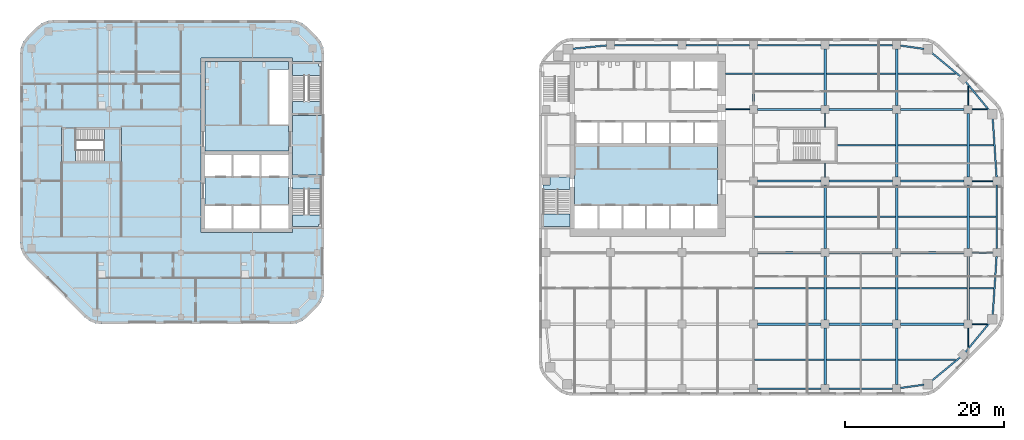
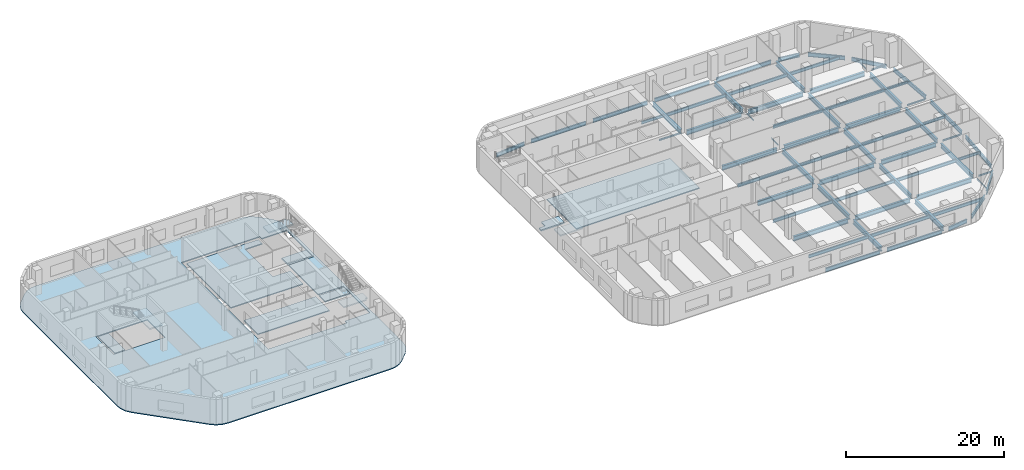
# One storey, part 3 of 16: 68 beams, 12 slabs, 4 elements without a shape of their own.
"""IFC4 building model written with IfcOpenShell, lengths in metres."""

from ifc_helpers import new_model, si_unit, direction, frame, origin, origin_2d, place, context, subcontext, project, spatial, polyline, i_section, outline, extrude, material, layer, layer_set, material_profile, profile_set, type_object, element, aggregate, save


model = new_model("IFC4")

# Units and contexts
model_context = context("Model", 3, precision=1e-05, world=origin(), true_north=direction((0.0, 1.0)))
body_context = subcontext(model_context, "Body", "Model", "MODEL_VIEW")
ifc_project = project(units=[si_unit("LENGTHUNIT", "METRE"), si_unit("AREAUNIT", "SQUARE_METRE"), si_unit("VOLUMEUNIT", "CUBIC_METRE"), si_unit("PLANEANGLEUNIT", "RADIAN"), si_unit("MASSUNIT", "GRAM", prefix="KILO")], contexts=[model_context])

# Site, building, storey
site_placement = place(None, origin())
site = spatial("IfcSite", under=ifc_project, at=site_placement, CompositionType="ELEMENT")
building_placement = place(site_placement, origin())
building = spatial("IfcBuilding", under=site, at=building_placement, Name="Cinnabar Reach Civic Tower", CompositionType="ELEMENT")
storey_placement = place(building_placement, frame((0.0, 0.0, 83.0)))
storey = spatial("IfcBuildingStorey", under=building, at=storey_placement, Name="L19", CompositionType="ELEMENT", Elevation=83.0)

# Beams
ifc_material_1 = material(Name="Steel Q355B", Category="steel")
ifc_material_profile_1 = material_profile(ifc_material_1, i_section(OverallWidth=0.099, OverallDepth=0.198, WebThickness=0.0045, FlangeThickness=0.007, FilletRadius=0.013, at=origin_2d()), Name="HN200x100x5.5x8")
ifc_profile_set_1 = profile_set([ifc_material_profile_1], Name="Steel Q355B")
beam_type_1 = type_object("IfcBeamType", Name="HN200x100x5.5x8 beam R 180", PredefinedType="BEAM", material=ifc_profile_set_1)
for number, where, z_axis, x_axis, name in (
    (1, (36.0, 27.502, -0.249), (0.0, 1.0, 0.0), (-1.0, 0.0, 0.0), "Girder T1 L19 15"),
    (2, (36.0, 33.752, -0.249), (0.0, 1.0, 0.0), (-1.0, 0.0, 0.0), "Girder T1 L19 16"),
):
    element("IfcBeam", number, at=place(storey_placement, frame(where, z_axis=z_axis, x_axis=x_axis)), inside=storey, type_object=beam_type_1, Name=name, PredefinedType="BEAM", context=body_context, shape_type="SweptSolid", body=[
        extrude(i_section(OverallWidth=0.099, OverallDepth=0.198, WebThickness=0.0045, FlangeThickness=0.007, FilletRadius=0.013, at=origin_2d()), origin(), (0.0, 0.0, 1.0), 1.746),
    ])
for number, where, z_axis, x_axis, name in (
    (3, (54.0, 6.0682, -0.249), (0.0, 1.0, 0.0), (-1.0, 0.0, 0.0), "Girder T1 L19 23"),
    (4, (54.0, 36.502, -0.249), (0.0, 1.0, 0.0), (-1.0, 0.0, 0.0), "Girder T1 L19 27"),
):
    element("IfcBeam", number, at=place(storey_placement, frame(where, z_axis=z_axis, x_axis=x_axis)), inside=storey, type_object=beam_type_1, Name=name, PredefinedType="BEAM", context=body_context, shape_type="SweptSolid", body=[
        extrude(i_section(OverallWidth=0.099, OverallDepth=0.198, WebThickness=0.0045, FlangeThickness=0.007, FilletRadius=0.013, at=origin_2d()), origin(), (0.0, 0.0, 1.0), 2.4298),
    ])
ifc_material_profile_2 = material_profile(ifc_material_1, i_section(OverallWidth=0.124, OverallDepth=0.248, WebThickness=0.005, FlangeThickness=0.008, FilletRadius=0.013, at=origin_2d()), Name="HN250x125x6x9")
ifc_profile_set_2 = profile_set([ifc_material_profile_2], Name="Steel Q355B")
beam_type_2 = type_object("IfcBeamType", Name="HN250x125x6x9 beam R 180", PredefinedType="BEAM", material=ifc_profile_set_2)
beam_1_placement = place(storey_placement, frame((54.502, 9.0, -0.274), z_axis=(1.0, 0.0, 0.0), x_axis=(0.0, 1.0, 0.0)))
element("IfcBeam", 5, at=beam_1_placement, inside=storey, type_object=beam_type_2, Name="Girder T1 L19 7", PredefinedType="BEAM", context=body_context, shape_type="SweptSolid", body=[
    extrude(i_section(OverallWidth=0.124, OverallDepth=0.248, WebThickness=0.005, FlangeThickness=0.008, FilletRadius=0.013, at=origin_2d()), origin(), (0.0, 0.0, 1.0), 1.9162),
])
for number, where, z_axis, x_axis, name in (
    (6, (54.502, 18.0, -0.274), (1.0, 0.0, 0.0), (0.0, 1.0, 0.0), "Girder T1 L19 14"),
    (7, (54.502, 27.0, -0.274), (1.0, 0.0, 0.0), (0.0, 1.0, 0.0), "Girder T1 L19 19"),
):
    element("IfcBeam", number, at=place(storey_placement, frame(where, z_axis=z_axis, x_axis=x_axis)), inside=storey, type_object=beam_type_2, Name=name, PredefinedType="BEAM", context=body_context, shape_type="SweptSolid", body=[
        extrude(i_section(OverallWidth=0.124, OverallDepth=0.248, WebThickness=0.005, FlangeThickness=0.008, FilletRadius=0.013, at=origin_2d()), origin(), (0.0, 0.0, 1.0), 2.596),
    ])
beam_2_placement = place(storey_placement, frame((23.502, 36.0, -0.274), z_axis=(1.0, 0.0, 0.0), x_axis=(0.0, 1.0, 0.0)))
element("IfcBeam", 8, at=beam_2_placement, inside=storey, type_object=beam_type_2, Name="Girder T1 L19 20", PredefinedType="BEAM", context=body_context, shape_type="SweptSolid", body=[
    extrude(i_section(OverallWidth=0.124, OverallDepth=0.248, WebThickness=0.005, FlangeThickness=0.008, FilletRadius=0.013, at=origin_2d()), origin(), (0.0, 0.0, 1.0), 2.996),
])
beam_3_placement = place(storey_placement, frame((54.502, 36.0, -0.274), z_axis=(1.0, 0.0, 0.0), x_axis=(0.0, 1.0, 0.0)))
element("IfcBeam", 9, at=beam_3_placement, inside=storey, type_object=beam_type_2, Name="Girder T1 L19 24", PredefinedType="BEAM", context=body_context, shape_type="SweptSolid", body=[
    extrude(i_section(OverallWidth=0.124, OverallDepth=0.248, WebThickness=0.005, FlangeThickness=0.008, FilletRadius=0.013, at=origin_2d()), origin(), (0.0, 0.0, 1.0), 1.9162),
])
ifc_material_profile_3 = material_profile(ifc_material_1, i_section(OverallWidth=0.2, OverallDepth=0.4, WebThickness=0.008, FlangeThickness=0.013, FilletRadius=0.016, at=origin_2d()), Name="HN400x200x8x13")
ifc_profile_set_3 = profile_set([ifc_material_profile_3], Name="Steel Q355B")
beam_type_3 = type_object("IfcBeamType", Name="HN400x200x8x13 beam R 180", PredefinedType="BEAM", material=ifc_profile_set_3)
beam_4_placement = place(storey_placement, frame((54.152, 13.5, -0.35), z_axis=(1.0, 0.0, 0.0), x_axis=(0.0, 1.0, 0.0)))
element("IfcBeam", 10, at=beam_4_placement, inside=storey, type_object=beam_type_3, Name="Secondary beam T1 L19 13", PredefinedType="BEAM", context=body_context, shape_type="SweptSolid", body=[
    extrude(i_section(OverallWidth=0.2, OverallDepth=0.4, WebThickness=0.008, FlangeThickness=0.013, FilletRadius=0.016, at=origin_2d()), origin(), (0.0, 0.0, 1.0), 3.0494),
])
beam_5_placement = place(storey_placement, frame((54.152, 22.5, -0.35), z_axis=(1.0, 0.0, 0.0), x_axis=(0.0, 1.0, 0.0)))
element("IfcBeam", 11, at=beam_5_placement, inside=storey, type_object=beam_type_3, Name="Secondary beam T1 L19 18", PredefinedType="BEAM", context=body_context, shape_type="SweptSolid", body=[
    extrude(i_section(OverallWidth=0.2, OverallDepth=0.4, WebThickness=0.008, FlangeThickness=0.013, FilletRadius=0.016, at=origin_2d()), origin(), (0.0, 0.0, 1.0), 3.346),
])
beam_6_placement = place(storey_placement, frame((54.152, 31.5, -0.35), z_axis=(1.0, 0.0, 0.0), x_axis=(0.0, 1.0, 0.0)))
element("IfcBeam", 12, at=beam_6_placement, inside=storey, type_object=beam_type_3, Name="Secondary beam T1 L19 24", PredefinedType="BEAM", context=body_context, shape_type="SweptSolid", body=[
    extrude(i_section(OverallWidth=0.2, OverallDepth=0.4, WebThickness=0.008, FlangeThickness=0.013, FilletRadius=0.016, at=origin_2d()), origin(), (0.0, 0.0, 1.0), 3.0494),
])
beam_7_placement = place(storey_placement, frame((23.502, 40.5, -0.35), z_axis=(1.0, 0.0, 0.0), x_axis=(0.0, 1.0, 0.0)))
element("IfcBeam", 13, at=beam_7_placement, inside=storey, type_object=beam_type_3, Name="Secondary beam T1 L19 25", PredefinedType="BEAM", context=body_context, shape_type="SweptSolid", body=[
    extrude(i_section(OverallWidth=0.2, OverallDepth=0.4, WebThickness=0.008, FlangeThickness=0.013, FilletRadius=0.016, at=origin_2d()), origin(), (0.0, 0.0, 1.0), 3.346),
])
ifc_material_profile_4 = material_profile(ifc_material_1, i_section(OverallWidth=0.2, OverallDepth=0.5, WebThickness=0.01, FlangeThickness=0.016, FilletRadius=0.016, at=origin_2d()), Name="HN500x200x10x16")
ifc_profile_set_4 = profile_set([ifc_material_profile_4], Name="Steel Q355B")
beam_type_4 = type_object("IfcBeamType", Name="HN500x200x10x16 beam R 180", PredefinedType="BEAM", material=ifc_profile_set_4)
for number, where, z_axis, x_axis, name in (
    (14, (27.152, 4.5, -0.4), (1.0, 0.0, 0.0), (0.0, 1.0, 0.0), "Secondary beam T1 L19 4"),
    (15, (36.152, 4.5, -0.4), (1.0, 0.0, 0.0), (0.0, 1.0, 0.0), "Secondary beam T1 L19 5"),
):
    element("IfcBeam", number, at=place(storey_placement, frame(where, z_axis=z_axis, x_axis=x_axis)), inside=storey, type_object=beam_type_4, Name=name, PredefinedType="BEAM", context=body_context, shape_type="SweptSolid", body=[
        extrude(i_section(OverallWidth=0.2, OverallDepth=0.5, WebThickness=0.01, FlangeThickness=0.016, FilletRadius=0.016, at=origin_2d()), origin(), (0.0, 0.0, 1.0), 8.696),
    ])
beam_8_placement = place(storey_placement, frame((45.152, 4.5, -0.4), z_axis=(1.0, 0.0, 0.0), x_axis=(0.0, 1.0, 0.0)))
element("IfcBeam", 16, at=beam_8_placement, inside=storey, type_object=beam_type_4, Name="Secondary beam T1 L19 6", PredefinedType="BEAM", context=body_context, shape_type="SweptSolid", body=[
    extrude(i_section(OverallWidth=0.2, OverallDepth=0.5, WebThickness=0.01, FlangeThickness=0.016, FilletRadius=0.016, at=origin_2d()), origin(), (0.0, 0.0, 1.0), 7.2798),
])
for number, where, z_axis, x_axis, name in (
    (17, (27.152, 13.5, -0.4), (1.0, 0.0, 0.0), (0.0, 1.0, 0.0), "Secondary beam T1 L19 10"),
    (18, (36.152, 13.5, -0.4), (1.0, 0.0, 0.0), (0.0, 1.0, 0.0), "Secondary beam T1 L19 11"),
    (19, (45.152, 13.5, -0.4), (1.0, 0.0, 0.0), (0.0, 1.0, 0.0), "Secondary beam T1 L19 12"),
    (20, (27.152, 22.5, -0.4), (1.0, 0.0, 0.0), (0.0, 1.0, 0.0), "Secondary beam T1 L19 15"),
    (21, (36.152, 22.5, -0.4), (1.0, 0.0, 0.0), (0.0, 1.0, 0.0), "Secondary beam T1 L19 16"),
    (22, (45.152, 22.5, -0.4), (1.0, 0.0, 0.0), (0.0, 1.0, 0.0), "Secondary beam T1 L19 17"),
):
    element("IfcBeam", number, at=place(storey_placement, frame(where, z_axis=z_axis, x_axis=x_axis)), inside=storey, type_object=beam_type_4, Name=name, PredefinedType="BEAM", context=body_context, shape_type="SweptSolid", body=[
        extrude(i_section(OverallWidth=0.2, OverallDepth=0.5, WebThickness=0.01, FlangeThickness=0.016, FilletRadius=0.016, at=origin_2d()), origin(), (0.0, 0.0, 1.0), 8.696),
    ])
beam_9_placement = place(storey_placement, frame((37.502, 31.5, -0.4), z_axis=(1.0, 0.0, 0.0), x_axis=(0.0, 1.0, 0.0)))
element("IfcBeam", 23, at=beam_9_placement, inside=storey, type_object=beam_type_4, Name="Secondary beam T1 L19 22", PredefinedType="BEAM", context=body_context, shape_type="SweptSolid", body=[
    extrude(i_section(OverallWidth=0.2, OverallDepth=0.5, WebThickness=0.01, FlangeThickness=0.016, FilletRadius=0.016, at=origin_2d()), origin(), (0.0, 0.0, 1.0), 7.346),
])
for number, where, z_axis, x_axis, name in (
    (24, (45.152, 31.5, -0.4), (1.0, 0.0, 0.0), (0.0, 1.0, 0.0), "Secondary beam T1 L19 23"),
    (25, (27.152, 40.5, -0.4), (1.0, 0.0, 0.0), (0.0, 1.0, 0.0), "Secondary beam T1 L19 26"),
    (26, (36.152, 40.5, -0.4), (1.0, 0.0, 0.0), (0.0, 1.0, 0.0), "Secondary beam T1 L19 27"),
):
    element("IfcBeam", number, at=place(storey_placement, frame(where, z_axis=z_axis, x_axis=x_axis)), inside=storey, type_object=beam_type_4, Name=name, PredefinedType="BEAM", context=body_context, shape_type="SweptSolid", body=[
        extrude(i_section(OverallWidth=0.2, OverallDepth=0.5, WebThickness=0.01, FlangeThickness=0.016, FilletRadius=0.016, at=origin_2d()), origin(), (0.0, 0.0, 1.0), 8.696),
    ])
beam_10_placement = place(storey_placement, frame((45.152, 40.5, -0.4), z_axis=(1.0, 0.0, 0.0), x_axis=(0.0, 1.0, 0.0)))
element("IfcBeam", 27, at=beam_10_placement, inside=storey, type_object=beam_type_4, Name="Secondary beam T1 L19 28", PredefinedType="BEAM", context=body_context, shape_type="SweptSolid", body=[
    extrude(i_section(OverallWidth=0.2, OverallDepth=0.5, WebThickness=0.01, FlangeThickness=0.016, FilletRadius=0.016, at=origin_2d()), origin(), (0.0, 0.0, 1.0), 7.2798),
])
ifc_material_profile_5 = material_profile(ifc_material_1, i_section(OverallWidth=0.2, OverallDepth=0.6, WebThickness=0.011, FlangeThickness=0.017, FilletRadius=0.016, at=origin_2d()), Name="HN600x200x11x17")
ifc_profile_set_5 = profile_set([ifc_material_profile_5], Name="Steel Q355B")
beam_type_5 = type_object("IfcBeamType", Name="HN600x200x11x17 beam R 180", PredefinedType="BEAM", material=ifc_profile_set_5)
for number, where, z_axis, x_axis, name in (
    (28, (27.502, 0.9, -0.45), (1.0, 0.0, 0.0), (0.0, 1.0, 0.0), "Edge beam T1 L19 4"),
    (29, (36.502, 0.9, -0.45), (1.0, 0.0, 0.0), (0.0, 1.0, 0.0), "Edge beam T1 L19 5"),
):
    element("IfcBeam", number, at=place(storey_placement, frame(where, z_axis=z_axis, x_axis=x_axis)), inside=storey, type_object=beam_type_5, Name=name, PredefinedType="BEAM", context=body_context, shape_type="SweptSolid", body=[
        extrude(i_section(OverallWidth=0.2, OverallDepth=0.6, WebThickness=0.011, FlangeThickness=0.017, FilletRadius=0.016, at=origin_2d()), origin(), (0.0, 0.0, 1.0), 7.996),
    ])
beam_11_placement = place(storey_placement, frame((45.502, 0.9712, -0.45), z_axis=(0.990082238922, 0.140489003738, 0.0), x_axis=(-0.140489003738, 0.990082238922, 0.0)))
element("IfcBeam", 30, at=beam_11_placement, inside=storey, type_object=beam_type_5, Name="Edge beam T1 L19 6", PredefinedType="BEAM", context=body_context, shape_type="SweptSolid", body=[
    extrude(i_section(OverallWidth=0.2, OverallDepth=0.6, WebThickness=0.011, FlangeThickness=0.017, FilletRadius=0.016, at=origin_2d()), origin(), (0.0, 0.0, 1.0), 2.9433),
])
for number, where, z_axis, x_axis, name in (
    (31, (49.3801, 1.8507, -0.45), (0.77143827905, 0.6363041581, 0.0), (-0.6363041581, 0.77143827905, 0.0), "Edge beam T1 L19 7"),
    (32, (53.6461, 5.4789, -0.45), (0.6363041581, 0.77143827905, 0.0), (-0.77143827905, 0.6363041581, 0.0), "Edge beam T1 L19 8"),
):
    element("IfcBeam", number, at=place(storey_placement, frame(where, z_axis=z_axis, x_axis=x_axis)), inside=storey, type_object=beam_type_5, Name=name, PredefinedType="BEAM", context=body_context, shape_type="SweptSolid", body=[
        extrude(i_section(OverallWidth=0.2, OverallDepth=0.6, WebThickness=0.011, FlangeThickness=0.017, FilletRadius=0.016, at=origin_2d()), origin(), (0.0, 0.0, 1.0), 4.7198),
    ])
beam_12_placement = place(storey_placement, frame((57.0786, 10.0839, -0.45), z_axis=(0.065718615968, 0.997838195057, 0.0), x_axis=(-0.997838195057, 0.065718615968, 0.0)))
element("IfcBeam", 33, at=beam_12_placement, inside=storey, type_object=beam_type_5, Name="Edge beam T1 L19 9", PredefinedType="BEAM", context=body_context, shape_type="SweptSolid", body=[
    extrude(i_section(OverallWidth=0.2, OverallDepth=0.6, WebThickness=0.011, FlangeThickness=0.017, FilletRadius=0.016, at=origin_2d()), origin(), (0.0, 0.0, 1.0), 7.4302),
])
beam_13_placement = place(storey_placement, frame((57.6, 18.502, -0.45), z_axis=(0.0, 1.0, 0.0), x_axis=(-1.0, 0.0, 0.0)))
element("IfcBeam", 34, at=beam_13_placement, inside=storey, type_object=beam_type_5, Name="Edge beam T1 L19 10", PredefinedType="BEAM", context=body_context, shape_type="SweptSolid", body=[
    extrude(i_section(OverallWidth=0.2, OverallDepth=0.6, WebThickness=0.011, FlangeThickness=0.017, FilletRadius=0.016, at=origin_2d()), origin(), (0.0, 0.0, 1.0), 7.996),
])
beam_14_placement = place(storey_placement, frame((57.5669, 27.502, -0.45), z_axis=(-0.065718615968, 0.997838195057, 0.0), x_axis=(-0.997838195057, -0.065718615968, 0.0)))
element("IfcBeam", 35, at=beam_14_placement, inside=storey, type_object=beam_type_5, Name="Edge beam T1 L19 11", PredefinedType="BEAM", context=body_context, shape_type="SweptSolid", body=[
    extrude(i_section(OverallWidth=0.2, OverallDepth=0.6, WebThickness=0.011, FlangeThickness=0.017, FilletRadius=0.016, at=origin_2d()), origin(), (0.0, 0.0, 1.0), 7.4302),
])
for number, where, z_axis, x_axis, name in (
    (36, (56.6493, 35.8801, -0.45), (-0.6363041581, 0.77143827905, 0.0), (-0.77143827905, -0.6363041581, 0.0), "Edge beam T1 L19 12"),
    (37, (53.0211, 40.1461, -0.45), (-0.77143827905, 0.6363041581, 0.0), (-0.6363041581, -0.77143827905, 0.0), "Edge beam T1 L19 13"),
):
    element("IfcBeam", number, at=place(storey_placement, frame(where, z_axis=z_axis, x_axis=x_axis)), inside=storey, type_object=beam_type_5, Name=name, PredefinedType="BEAM", context=body_context, shape_type="SweptSolid", body=[
        extrude(i_section(OverallWidth=0.2, OverallDepth=0.6, WebThickness=0.011, FlangeThickness=0.017, FilletRadius=0.016, at=origin_2d()), origin(), (0.0, 0.0, 1.0), 4.7198),
    ])
beam_15_placement = place(storey_placement, frame((48.4161, 43.6153, -0.45), z_axis=(-0.990082238922, 0.140489003738, 0.0), x_axis=(-0.140489003738, -0.990082238922, 0.0)))
element("IfcBeam", 38, at=beam_15_placement, inside=storey, type_object=beam_type_5, Name="Edge beam T1 L19 14", PredefinedType="BEAM", context=body_context, shape_type="SweptSolid", body=[
    extrude(i_section(OverallWidth=0.2, OverallDepth=0.6, WebThickness=0.011, FlangeThickness=0.017, FilletRadius=0.016, at=origin_2d()), origin(), (0.0, 0.0, 1.0), 2.9433),
])
for number, where, z_axis, x_axis, name in (
    (39, (44.498, 44.1, -0.45), (-1.0, 0.0, 0.0), (0.0, -1.0, 0.0), "Edge beam T1 L19 15"),
    (40, (35.498, 44.1, -0.45), (-1.0, 0.0, 0.0), (0.0, -1.0, 0.0), "Edge beam T1 L19 16"),
    (41, (26.498, 44.1, -0.45), (-1.0, 0.0, 0.0), (0.0, -1.0, 0.0), "Edge beam T1 L19 17"),
    (42, (17.498, 44.1, -0.45), (-1.0, 0.0, 0.0), (0.0, -1.0, 0.0), "Edge beam T1 L19 18"),
):
    element("IfcBeam", number, at=place(storey_placement, frame(where, z_axis=z_axis, x_axis=x_axis)), inside=storey, type_object=beam_type_5, Name=name, PredefinedType="BEAM", context=body_context, shape_type="SweptSolid", body=[
        extrude(i_section(OverallWidth=0.2, OverallDepth=0.6, WebThickness=0.011, FlangeThickness=0.017, FilletRadius=0.016, at=origin_2d()), origin(), (0.0, 0.0, 1.0), 7.996),
    ])
beam_16_placement = place(storey_placement, frame((8.498, 44.0505, -0.45), z_axis=(-0.995166374533, -0.098203294236, 0.0), x_axis=(0.098203294236, -0.995166374533, 0.0)))
element("IfcBeam", 43, at=beam_16_placement, inside=storey, type_object=beam_type_5, Name="Edge beam T1 L19 19", PredefinedType="BEAM", context=body_context, shape_type="SweptSolid", body=[
    extrude(i_section(OverallWidth=0.2, OverallDepth=0.6, WebThickness=0.011, FlangeThickness=0.017, FilletRadius=0.016, at=origin_2d()), origin(), (0.0, 0.0, 1.0), 4.3705),
])
ifc_material_profile_6 = material_profile(ifc_material_1, i_section(OverallWidth=0.3, OverallDepth=0.692, WebThickness=0.013, FlangeThickness=0.02, FilletRadius=0.016, at=origin_2d()), Name="HN692x300x13x20")
ifc_profile_set_6 = profile_set([ifc_material_profile_6], Name="Steel Q355B")
beam_type_6 = type_object("IfcBeamType", Name="HN692x300x13x20 beam R 180", PredefinedType="BEAM", material=ifc_profile_set_6)
for number, where, z_axis, x_axis, name in (
    (44, (27.0, 36.502, -0.496), (0.0, 1.0, 0.0), (-1.0, 0.0, 0.0), "Girder T1 L19 11"),
    (45, (36.0, 1.402, -0.496), (0.0, 1.0, 0.0), (-1.0, 0.0, 0.0), "Girder T1 L19 12"),
):
    element("IfcBeam", number, at=place(storey_placement, frame(where, z_axis=z_axis, x_axis=x_axis)), inside=storey, type_object=beam_type_6, Name=name, PredefinedType="BEAM", context=body_context, shape_type="SweptSolid", body=[
        extrude(i_section(OverallWidth=0.3, OverallDepth=0.692, WebThickness=0.013, FlangeThickness=0.02, FilletRadius=0.016, at=origin_2d()), origin(), (0.0, 0.0, 1.0), 7.096),
    ])
for number, where, z_axis, x_axis, name in (
    (46, (36.0, 9.502, -0.496), (0.0, 1.0, 0.0), (-1.0, 0.0, 0.0), "Girder T1 L19 13"),
    (47, (36.0, 18.502, -0.496), (0.0, 1.0, 0.0), (-1.0, 0.0, 0.0), "Girder T1 L19 14"),
):
    element("IfcBeam", number, at=place(storey_placement, frame(where, z_axis=z_axis, x_axis=x_axis)), inside=storey, type_object=beam_type_6, Name=name, PredefinedType="BEAM", context=body_context, shape_type="SweptSolid", body=[
        extrude(i_section(OverallWidth=0.3, OverallDepth=0.692, WebThickness=0.013, FlangeThickness=0.02, FilletRadius=0.016, at=origin_2d()), origin(), (0.0, 0.0, 1.0), 7.996),
    ])
for number, where, z_axis, x_axis, name in (
    (48, (36.0, 36.502, -0.496), (0.0, 1.0, 0.0), (-1.0, 0.0, 0.0), "Girder T1 L19 17"),
    (49, (45.0, 1.402, -0.496), (0.0, 1.0, 0.0), (-1.0, 0.0, 0.0), "Girder T1 L19 18"),
):
    element("IfcBeam", number, at=place(storey_placement, frame(where, z_axis=z_axis, x_axis=x_axis)), inside=storey, type_object=beam_type_6, Name=name, PredefinedType="BEAM", context=body_context, shape_type="SweptSolid", body=[
        extrude(i_section(OverallWidth=0.3, OverallDepth=0.692, WebThickness=0.013, FlangeThickness=0.02, FilletRadius=0.016, at=origin_2d()), origin(), (0.0, 0.0, 1.0), 7.096),
    ])
for number, where, z_axis, x_axis, name in (
    (50, (45.0, 9.502, -0.496), (0.0, 1.0, 0.0), (-1.0, 0.0, 0.0), "Girder T1 L19 19"),
    (51, (45.0, 18.502, -0.496), (0.0, 1.0, 0.0), (-1.0, 0.0, 0.0), "Girder T1 L19 20"),
    (52, (45.0, 27.502, -0.496), (0.0, 1.0, 0.0), (-1.0, 0.0, 0.0), "Girder T1 L19 21"),
):
    element("IfcBeam", number, at=place(storey_placement, frame(where, z_axis=z_axis, x_axis=x_axis)), inside=storey, type_object=beam_type_6, Name=name, PredefinedType="BEAM", context=body_context, shape_type="SweptSolid", body=[
        extrude(i_section(OverallWidth=0.3, OverallDepth=0.692, WebThickness=0.013, FlangeThickness=0.02, FilletRadius=0.016, at=origin_2d()), origin(), (0.0, 0.0, 1.0), 7.996),
    ])
beam_17_placement = place(storey_placement, frame((45.0, 36.502, -0.496), z_axis=(0.0, 1.0, 0.0), x_axis=(-1.0, 0.0, 0.0)))
element("IfcBeam", 53, at=beam_17_placement, inside=storey, type_object=beam_type_6, Name="Girder T1 L19 22", PredefinedType="BEAM", context=body_context, shape_type="SweptSolid", body=[
    extrude(i_section(OverallWidth=0.3, OverallDepth=0.692, WebThickness=0.013, FlangeThickness=0.02, FilletRadius=0.016, at=origin_2d()), origin(), (0.0, 0.0, 1.0), 7.096),
])
for number, where, z_axis, x_axis, name in (
    (54, (54.0, 9.502, -0.496), (0.0, 1.0, 0.0), (-1.0, 0.0, 0.0), "Girder T1 L19 24"),
    (55, (54.0, 18.502, -0.496), (0.0, 1.0, 0.0), (-1.0, 0.0, 0.0), "Girder T1 L19 25"),
    (56, (54.0, 27.502, -0.496), (0.0, 1.0, 0.0), (-1.0, 0.0, 0.0), "Girder T1 L19 26"),
):
    element("IfcBeam", number, at=place(storey_placement, frame(where, z_axis=z_axis, x_axis=x_axis)), inside=storey, type_object=beam_type_6, Name=name, PredefinedType="BEAM", context=body_context, shape_type="SweptSolid", body=[
        extrude(i_section(OverallWidth=0.3, OverallDepth=0.692, WebThickness=0.013, FlangeThickness=0.02, FilletRadius=0.016, at=origin_2d()), origin(), (0.0, 0.0, 1.0), 7.996),
    ])
ifc_material_profile_7 = material_profile(ifc_material_1, i_section(OverallWidth=0.3, OverallDepth=0.7, WebThickness=0.013, FlangeThickness=0.024, FilletRadius=0.02, at=origin_2d()), Name="HN700x300x13x24")
ifc_profile_set_7 = profile_set([ifc_material_profile_7], Name="Steel Q355B")
beam_type_7 = type_object("IfcBeamType", Name="HN700x300x13x24 beam R 180", PredefinedType="BEAM", material=ifc_profile_set_7)
for number, where, z_axis, x_axis, name in (
    (57, (27.502, 9.0, -0.5), (1.0, 0.0, 0.0), (0.0, 1.0, 0.0), "Girder T1 L19 4"),
    (58, (36.502, 9.0, -0.5), (1.0, 0.0, 0.0), (0.0, 1.0, 0.0), "Girder T1 L19 5"),
    (59, (45.502, 9.0, -0.5), (1.0, 0.0, 0.0), (0.0, 1.0, 0.0), "Girder T1 L19 6"),
    (60, (27.502, 18.0, -0.5), (1.0, 0.0, 0.0), (0.0, 1.0, 0.0), "Girder T1 L19 11"),
    (61, (36.502, 18.0, -0.5), (1.0, 0.0, 0.0), (0.0, 1.0, 0.0), "Girder T1 L19 12"),
    (62, (45.502, 18.0, -0.5), (1.0, 0.0, 0.0), (0.0, 1.0, 0.0), "Girder T1 L19 13"),
    (63, (27.502, 27.0, -0.5), (1.0, 0.0, 0.0), (0.0, 1.0, 0.0), "Girder T1 L19 16"),
    (64, (36.502, 27.0, -0.5), (1.0, 0.0, 0.0), (0.0, 1.0, 0.0), "Girder T1 L19 17"),
    (65, (45.502, 27.0, -0.5), (1.0, 0.0, 0.0), (0.0, 1.0, 0.0), "Girder T1 L19 18"),
    (66, (27.502, 36.0, -0.5), (1.0, 0.0, 0.0), (0.0, 1.0, 0.0), "Girder T1 L19 21"),
    (67, (36.502, 36.0, -0.5), (1.0, 0.0, 0.0), (0.0, 1.0, 0.0), "Girder T1 L19 22"),
    (68, (45.502, 36.0, -0.5), (1.0, 0.0, 0.0), (0.0, 1.0, 0.0), "Girder T1 L19 23"),
):
    element("IfcBeam", number, at=place(storey_placement, frame(where, z_axis=z_axis, x_axis=x_axis)), inside=storey, type_object=beam_type_7, Name=name, PredefinedType="BEAM", context=body_context, shape_type="SweptSolid", body=[
        extrude(i_section(OverallWidth=0.3, OverallDepth=0.7, WebThickness=0.013, FlangeThickness=0.024, FilletRadius=0.02, at=origin_2d()), origin(), (0.0, 0.0, 1.0), 7.996),
    ])

# Slab
ifc_material_2 = material(Name="Concrete C40", Category="concrete")
ifc_layer_1 = layer(ifc_material_2, 0.15)
ifc_layer_set_1 = layer_set([ifc_layer_1], Name="Composite floor slab 150 REI 120")
slab_type_1 = type_object("IfcSlabType", Name="Composite floor slab 150 REI 120", PredefinedType="FLOOR", material=ifc_layer_set_1)
slab_1_placement = place(storey_placement, frame((0.0, 0.0, -0.15)))
element("IfcSlab", 69, at=slab_1_placement, inside=storey, type_object=slab_type_1, Name="Composite floor slab 150 T2 L19", PredefinedType="FLOOR", context=body_context, shape_type="SweptSolid", body=[
    extrude(outline(polyline([(-64.3713, 17.1213), (-64.8481, 17.7426), (-65.1478, 18.4662), (-65.25, 19.2426), (-65.25, 43.0074), (-65.1478, 43.7838), (-64.8481, 44.5074), (-64.3713, 45.1287), (-63.1287, 46.3713), (-62.5074, 46.8481), (-61.7838, 47.1478), (-61.0074, 47.25), (-31.2426, 47.25), (-30.4662, 47.1478), (-29.7426, 46.8481), (-29.1213, 46.3713), (-27.8787, 45.1287), (-27.4019, 44.5074), (-27.1022, 43.7838), (-27.0, 43.0074), (-27.0, 13.2426), (-27.1022, 12.4662), (-27.4019, 11.7426), (-27.8787, 11.1213), (-29.1213, 9.8787), (-29.7426, 9.4019), (-30.4662, 9.1022), (-31.2426, 9.0), (-55.0074, 9.0), (-55.7838, 9.1022), (-56.5074, 9.4019), (-57.1287, 9.8787), (-64.3713, 17.1213)]), holes=[polyline([(-31.0, 27.75), (-31.0, 35.25), (-27.36, 35.25), (-27.36, 42.0), (-31.0, 42.0), (-31.0, 42.5), (-42.5, 42.5), (-42.5, 20.5), (-31.0, 20.5), (-31.0, 21.0), (-27.36, 21.0), (-27.36, 27.75), (-31.0, 27.75)]), polyline([(-60.0, 33.75), (-60.0, 29.25), (-52.5, 29.25), (-52.5, 33.75), (-60.0, 33.75)])]), origin(), (0.0, 0.0, 1.0), 0.15),
])

# Stair, slabs
ifc_material_3 = material(Name="Concrete C40/50", Category="concrete")
stair_type_1 = type_object("IfcStairType", Name="T1 Exit stair, half-turn", PredefinedType="HALF_TURN_STAIR", material=ifc_material_3)
stair_1_placement = place(storey_placement, origin())
stair_1 = element("IfcStair", 70, at=stair_1_placement, inside=storey, type_object=stair_type_1, Name="Stair T1-S1", PredefinedType="HALF_TURN_STAIR")
ifc_layer_2 = layer(ifc_material_3, 0.2)
ifc_layer_set_2 = layer_set([ifc_layer_2], Name="T1 Stair landing 200, Concrete C40/50")
slab_type_2 = type_object("IfcSlabType", Name="T1 Stair landing 200, Concrete C40/50", PredefinedType="LANDING", material=ifc_layer_set_2)
slab_2_placement = place(storey_placement, frame((0.0, 0.0, -0.2)))
slab_2 = element("IfcSlab", 71, at=slab_2_placement, type_object=slab_type_2, Name="T1-S1 landing 1", PredefinedType="LANDING", context=body_context, shape_type="SweptSolid", body=[
    extrude(outline(polyline([(3.9, 27.5), (3.9, 25.95), (0.5, 25.95), (0.5, 26.5), (1.4, 26.5), (1.4, 27.5), (3.9, 27.5)])), origin(), (0.0, 0.0, 1.0), 0.2),
])
slab_3_placement = place(storey_placement, frame((0.0, 0.0, 1.8)))
slab_3 = element("IfcSlab", 72, at=slab_3_placement, type_object=slab_type_2, Name="T1-S1 landing 2", PredefinedType="LANDING", context=body_context, shape_type="SweptSolid", body=[
    extrude(outline(polyline([(0.6, 21.25), (0.6, 22.87), (3.9, 22.87), (3.9, 21.25), (0.6, 21.25)])), origin(), (0.0, 0.0, 1.0), 0.2),
])
aggregate(stair_1, [slab_2, slab_3])

# Slabs
ifc_layer_3 = layer(ifc_material_3, 0.15)
ifc_layer_set_3 = layer_set([ifc_layer_3], Name="T1 core floor slab 150")
slab_type_3 = type_object("IfcSlabType", Name="T1 core floor slab 150", PredefinedType="FLOOR", material=ifc_layer_set_3)
slab_4_placement = place(storey_placement, frame((0.0, 0.0, -0.15)))
element("IfcSlab", 73, at=slab_4_placement, inside=storey, type_object=slab_type_3, Name="Core floor slab L19", PredefinedType="FLOOR", context=body_context, shape_type="SweptSolid", body=[
    extrude(outline(polyline([(22.5, 24.0), (19.5, 24.0), (16.5, 24.0), (13.5, 24.0), (10.5, 24.0), (7.5, 24.0), (4.5, 24.0), (4.5, 31.5), (7.5, 31.5), (10.5, 31.5), (13.5, 31.5), (16.5, 31.5), (19.5, 31.5), (22.5, 31.5), (22.5, 24.0)])), origin(), (0.0, 0.0, 1.0), 0.15),
])
ifc_layer_4 = layer(ifc_material_2, 0.15)
ifc_layer_set_4 = layer_set([ifc_layer_4], Name="T2 Core floor slab 150")
slab_type_4 = type_object("IfcSlabType", Name="T2 Core floor slab 150", PredefinedType="FLOOR", material=ifc_layer_set_4)
slab_5_placement = place(storey_placement, frame((0.0, 0.0, -0.15)))
element("IfcSlab", 74, at=slab_5_placement, inside=storey, type_object=slab_type_4, Name="Core floor slab L19", PredefinedType="FLOOR", context=body_context, shape_type="SweptSolid", body=[
    extrude(outline(polyline([(-42.0, 42.0), (-31.5, 42.0), (-31.5, 41.0), (-34.0, 41.0), (-34.0, 34.0), (-31.5, 34.0), (-31.5, 30.75), (-42.0, 30.75), (-42.0, 42.0)])), origin(), (0.0, 0.0, 1.0), 0.15),
])
slab_6_placement = place(storey_placement, frame((0.0, 0.0, -0.15)))
element("IfcSlab", 75, at=slab_6_placement, inside=storey, type_object=slab_type_4, Name="Core floor slab L19", PredefinedType="FLOOR", context=body_context, shape_type="SweptSolid", body=[
    extrude(outline(polyline([(-35.0, 24.0), (-38.5, 24.0), (-42.0, 24.0), (-42.0, 27.5), (-38.5, 27.5), (-35.0, 27.5), (-31.5, 27.5), (-31.5, 24.0), (-35.0, 24.0)])), origin(), (0.0, 0.0, 1.0), 0.15),
])

# Stair, slabs
stair_type_2 = type_object("IfcStairType", Name="T2 Exit stair 1500", PredefinedType="HALF_TURN_STAIR", material=ifc_material_2)
stair_2_placement = place(storey_placement, origin())
stair_2 = element("IfcStair", 76, at=stair_2_placement, inside=storey, type_object=stair_type_2, Name="Exit stair 1", PredefinedType="HALF_TURN_STAIR")
ifc_layer_5 = layer(ifc_material_2, 0.2)
ifc_layer_set_5 = layer_set([ifc_layer_5], Name="T2 Stair landing 200")
slab_type_5 = type_object("IfcSlabType", Name="T2 Stair landing 200", PredefinedType="LANDING", material=ifc_layer_set_5)
slab_7_placement = place(storey_placement, frame((0.0, 0.0, -0.2)))
slab_7 = element("IfcSlab", 77, at=slab_7_placement, type_object=slab_type_5, Name="ST1 landing 1", PredefinedType="LANDING", context=body_context, shape_type="SweptSolid", body=[
    extrude(outline(polyline([(-31.0, 26.0), (-31.0, 27.5), (-27.4, 27.5), (-27.4, 26.0), (-31.0, 26.0)])), origin(), (0.0, 0.0, 1.0), 0.2),
])
slab_8_placement = place(storey_placement, frame((0.0, 0.0, 1.8)))
slab_8 = element("IfcSlab", 78, at=slab_8_placement, type_object=slab_type_5, Name="ST1 landing 2", PredefinedType="LANDING", context=body_context, shape_type="SweptSolid", body=[
    extrude(outline(polyline([(-31.0, 21.25), (-31.0, 22.75), (-27.4, 22.75), (-27.4, 21.55), (-27.7, 21.55), (-27.7, 21.25), (-31.0, 21.25)])), origin(), (0.0, 0.0, 1.0), 0.2),
])
aggregate(stair_2, [slab_7, slab_8])

stair_3_placement = place(storey_placement, origin())
stair_3 = element("IfcStair", 79, at=stair_3_placement, inside=storey, type_object=stair_type_2, Name="Exit stair 2", PredefinedType="HALF_TURN_STAIR")
slab_9_placement = place(storey_placement, frame((0.0, 0.0, -0.2)))
slab_9 = element("IfcSlab", 80, at=slab_9_placement, type_object=slab_type_5, Name="ST2 landing 1", PredefinedType="LANDING", context=body_context, shape_type="SweptSolid", body=[
    extrude(outline(polyline([(-31.0, 35.5), (-31.0, 37.0), (-27.4, 37.0), (-27.4, 35.5), (-31.0, 35.5)])), origin(), (0.0, 0.0, 1.0), 0.2),
])
slab_10_placement = place(storey_placement, frame((0.0, 0.0, 1.8)))
slab_10 = element("IfcSlab", 81, at=slab_10_placement, type_object=slab_type_5, Name="ST2 landing 2", PredefinedType="LANDING", context=body_context, shape_type="SweptSolid", body=[
    extrude(outline(polyline([(-27.4, 40.25), (-31.0, 40.25), (-31.0, 41.75), (-27.7, 41.75), (-27.7, 41.45), (-27.4, 41.45), (-27.4, 40.25)])), origin(), (0.0, 0.0, 1.0), 0.2),
])
aggregate(stair_3, [slab_9, slab_10])

stair_4_placement = place(storey_placement, origin())
stair_4 = element("IfcStair", 82, at=stair_4_placement, inside=storey, type_object=stair_type_2, Name="Exit stair 3", PredefinedType="HALF_TURN_STAIR")
slab_11_placement = place(storey_placement, frame((0.0, 0.0, -0.2)))
slab_11 = element("IfcSlab", 83, at=slab_11_placement, type_object=slab_type_5, Name="ST3 landing 1", PredefinedType="LANDING", context=body_context, shape_type="SweptSolid", body=[
    extrude(outline(polyline([(-59.75, 29.375), (-59.75, 33.625), (-58.25, 33.625), (-58.25, 29.375), (-59.75, 29.375)])), origin(), (0.0, 0.0, 1.0), 0.2),
])
slab_12_placement = place(storey_placement, frame((0.0, 0.0, 1.8)))
slab_12 = element("IfcSlab", 84, at=slab_12_placement, type_object=slab_type_5, Name="ST3 landing 2", PredefinedType="LANDING", context=body_context, shape_type="SweptSolid", body=[
    extrude(outline(polyline([(-54.65, 29.375), (-54.65, 33.625), (-52.75, 33.625), (-52.75, 29.375), (-54.65, 29.375)])), origin(), (0.0, 0.0, 1.0), 0.2),
])
aggregate(stair_4, [slab_11, slab_12])

save(model, "model.ifc")
